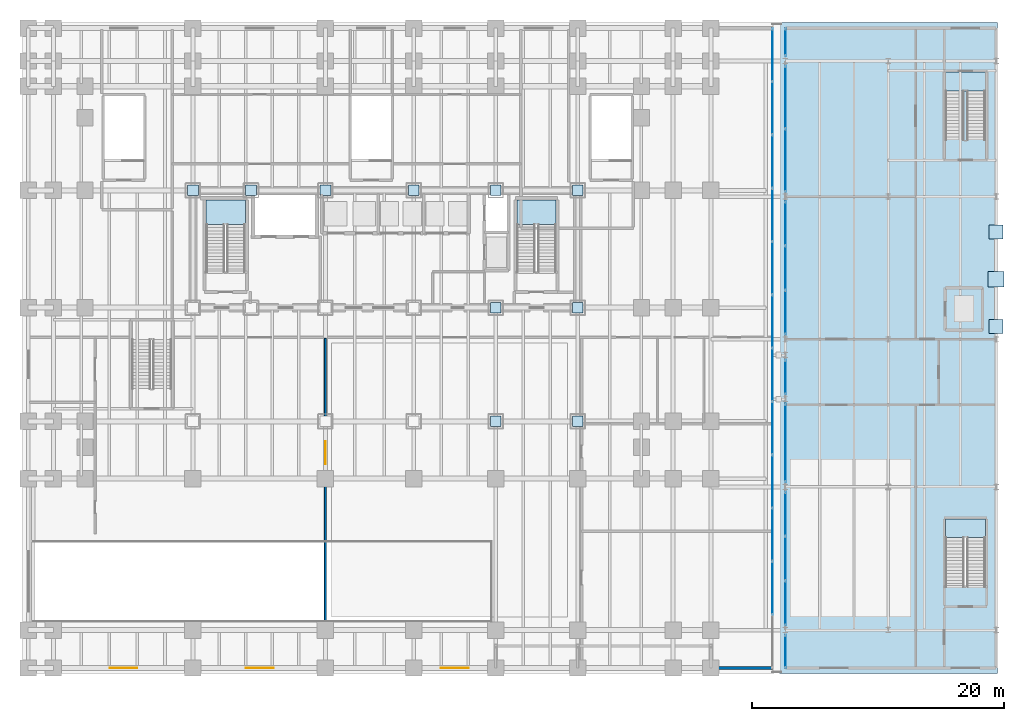
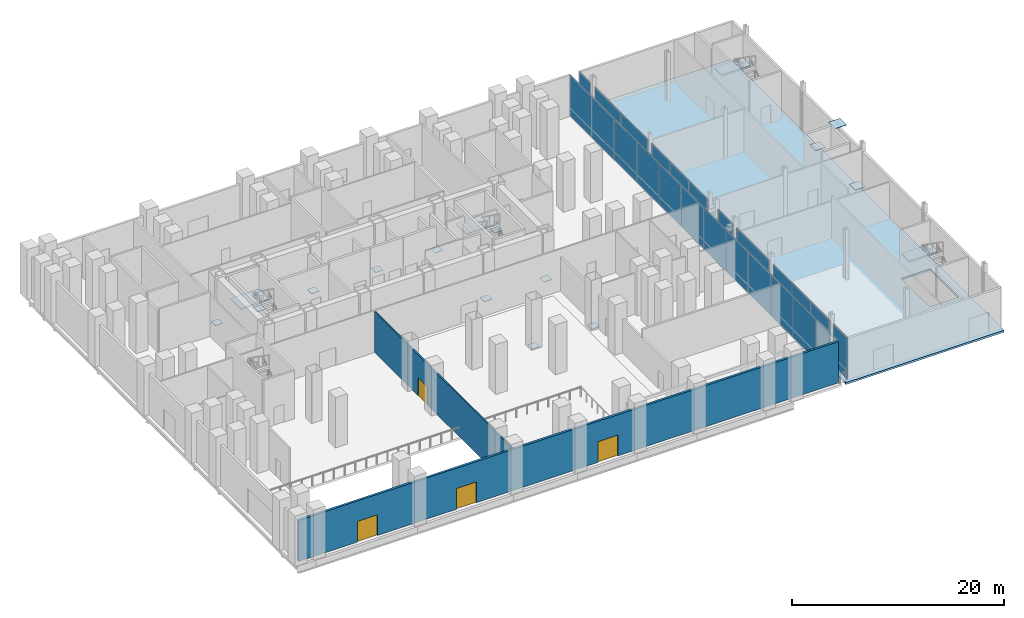
# One storey, part 22 of 36: 36 plates, 5 slabs, 4 doors, 2 walls, 5 openings, 12 elements without a shape of their own.
"""IFC4 building model written with IfcOpenShell, lengths in metres."""

from ifc_helpers import new_model, si_unit, direction, frame, frame_2d, origin, origin_2d, place, context, subcontext, project, spatial, polyline, rectangle, outline, extrude, material, layer, layer_set, type_object, element, fill, aggregate, save


model = new_model("IFC4")

# Units and contexts
model_context = context("Model", 3, precision=1e-05, world=origin(), true_north=direction((0.0, 1.0)))
body_context = subcontext(model_context, "Body", "Model", "MODEL_VIEW")
ifc_project = project(units=[si_unit("LENGTHUNIT", "METRE"), si_unit("AREAUNIT", "SQUARE_METRE"), si_unit("VOLUMEUNIT", "CUBIC_METRE"), si_unit("PLANEANGLEUNIT", "RADIAN"), si_unit("MASSUNIT", "GRAM", prefix="KILO")], contexts=[model_context])

# Site, building, storey
site_placement = place(None, origin())
site = spatial("IfcSite", under=ifc_project, at=site_placement, CompositionType="ELEMENT")
building_placement = place(site_placement, origin())
building = spatial("IfcBuilding", under=site, at=building_placement, Name="Noeulbin Bourse Tower", CompositionType="ELEMENT")
storey_placement = place(building_placement, origin())
storey = spatial("IfcBuildingStorey", under=building, at=storey_placement, Name="L01", CompositionType="ELEMENT", Elevation=0.0)

# Curtain wall, plates
ifc_material_1 = material(Name="Laminated Clear Low-E Glass", Category="glass")
curtain_wall_type = type_object("IfcCurtainWallType", Name="CW-SYS-1", PredefinedType="NOTDEFINED", material=ifc_material_1)
curtain_wall_1_placement = place(storey_placement, origin())
curtain_wall_1 = element("IfcCurtainWall", 1, at=curtain_wall_1_placement, inside=storey, type_object=curtain_wall_type, Name="Unitised Curtain Wall CW-L01-GAL-W", PredefinedType="NOTDEFINED")
ifc_layer_1 = layer(ifc_material_1, 0.035888671875)
ifc_layer_set_1 = layer_set([ifc_layer_1], Name="Laminated Clear Low-E Glass")
plate_type_1 = type_object("IfcPlateType", Name="CW-SYS-1-PNL", PredefinedType="CURTAIN_PANEL", material=ifc_layer_set_1)
plate_1_placement = place(storey_placement, frame((59.419921875, 6.78759765625, 0.0), z_axis=(0.0, 0.0, 1.0), x_axis=(0.0, 1.0, 0.0)))
plate_1 = element("IfcPlate", 2, at=plate_1_placement, type_object=plate_type_1, Name="Glazed Curtain Panel CW-L01-GAL-W-P01", PredefinedType="CURTAIN_PANEL", context=body_context, shape_type="SweptSolid", body=[
    extrude(rectangle(XDim=4.22509765625, YDim=0.035888671875, at=origin_2d()), origin(), (0.0, 0.0, 1.0), 4.75),
])
plate_2_placement = place(storey_placement, frame((59.419921875, 11.012451171875, 0.0), z_axis=(0.0, 0.0, 1.0), x_axis=(0.0, 1.0, 0.0)))
plate_2 = element("IfcPlate", 3, at=plate_2_placement, type_object=plate_type_1, Name="Glazed Curtain Panel CW-L01-GAL-W-P02", PredefinedType="CURTAIN_PANEL", context=body_context, shape_type="SweptSolid", body=[
    extrude(rectangle(XDim=4.22509765625, YDim=0.035888671875, at=origin_2d()), origin(), (0.0, 0.0, 1.0), 4.75),
])
plate_3_placement = place(storey_placement, frame((59.419921875, 15.237548828125, 0.0), z_axis=(0.0, 0.0, 1.0), x_axis=(0.0, 1.0, 0.0)))
plate_3 = element("IfcPlate", 4, at=plate_3_placement, type_object=plate_type_1, Name="Glazed Curtain Panel CW-L01-GAL-W-P03", PredefinedType="CURTAIN_PANEL", context=body_context, shape_type="SweptSolid", body=[
    extrude(rectangle(XDim=4.22509765625, YDim=0.035888671875, at=origin_2d()), origin(), (0.0, 0.0, 1.0), 4.75),
])
plate_4_placement = place(storey_placement, frame((59.419921875, 19.46240234375, 0.0), z_axis=(0.0, 0.0, 1.0), x_axis=(0.0, 1.0, 0.0)))
plate_4 = element("IfcPlate", 5, at=plate_4_placement, type_object=plate_type_1, Name="Glazed Curtain Panel CW-L01-GAL-W-P04", PredefinedType="CURTAIN_PANEL", context=body_context, shape_type="SweptSolid", body=[
    extrude(rectangle(XDim=4.22509765625, YDim=0.035888671875, at=origin_2d()), origin(), (0.0, 0.0, 1.0), 4.75),
])
plate_5_placement = place(storey_placement, frame((59.419921875, 23.6875, 0.0), z_axis=(0.0, 0.0, 1.0), x_axis=(0.0, 1.0, 0.0)))
plate_5 = element("IfcPlate", 6, at=plate_5_placement, type_object=plate_type_1, Name="Glazed Curtain Panel CW-L01-GAL-W-P05", PredefinedType="CURTAIN_PANEL", context=body_context, shape_type="SweptSolid", body=[
    extrude(rectangle(XDim=4.22509765625, YDim=0.035888671875, at=origin_2d()), origin(), (0.0, 0.0, 1.0), 4.75),
])
plate_6_placement = place(storey_placement, frame((59.419921875, 27.91259765625, 0.0), z_axis=(0.0, 0.0, 1.0), x_axis=(0.0, 1.0, 0.0)))
plate_6 = element("IfcPlate", 7, at=plate_6_placement, type_object=plate_type_1, Name="Glazed Curtain Panel CW-L01-GAL-W-P06", PredefinedType="CURTAIN_PANEL", context=body_context, shape_type="SweptSolid", body=[
    extrude(rectangle(XDim=4.22509765625, YDim=0.035888671875, at=origin_2d()), origin(), (0.0, 0.0, 1.0), 4.75),
])
plate_7_placement = place(storey_placement, frame((59.419921875, 32.137451171875, 0.0), z_axis=(0.0, 0.0, 1.0), x_axis=(0.0, 1.0, 0.0)))
plate_7 = element("IfcPlate", 8, at=plate_7_placement, type_object=plate_type_1, Name="Glazed Curtain Panel CW-L01-GAL-W-P07", PredefinedType="CURTAIN_PANEL", context=body_context, shape_type="SweptSolid", body=[
    extrude(rectangle(XDim=4.22509765625, YDim=0.035888671875, at=origin_2d()), origin(), (0.0, 0.0, 1.0), 4.75),
])
plate_8_placement = place(storey_placement, frame((59.419921875, 36.362548828125, 0.0), z_axis=(0.0, 0.0, 1.0), x_axis=(0.0, 1.0, 0.0)))
plate_8 = element("IfcPlate", 9, at=plate_8_placement, type_object=plate_type_1, Name="Glazed Curtain Panel CW-L01-GAL-W-P08", PredefinedType="CURTAIN_PANEL", context=body_context, shape_type="SweptSolid", body=[
    extrude(rectangle(XDim=4.22509765625, YDim=0.035888671875, at=origin_2d()), origin(), (0.0, 0.0, 1.0), 4.75),
])
plate_9_placement = place(storey_placement, frame((59.419921875, 40.58740234375, 0.0), z_axis=(0.0, 0.0, 1.0), x_axis=(0.0, 1.0, 0.0)))
plate_9 = element("IfcPlate", 10, at=plate_9_placement, type_object=plate_type_1, Name="Glazed Curtain Panel CW-L01-GAL-W-P09", PredefinedType="CURTAIN_PANEL", context=body_context, shape_type="SweptSolid", body=[
    extrude(rectangle(XDim=4.22509765625, YDim=0.035888671875, at=origin_2d()), origin(), (0.0, 0.0, 1.0), 4.75),
])
plate_10_placement = place(storey_placement, frame((59.419921875, 44.8125, 0.0), z_axis=(0.0, 0.0, 1.0), x_axis=(0.0, 1.0, 0.0)))
plate_10 = element("IfcPlate", 11, at=plate_10_placement, type_object=plate_type_1, Name="Glazed Curtain Panel CW-L01-GAL-W-P10", PredefinedType="CURTAIN_PANEL", context=body_context, shape_type="SweptSolid", body=[
    extrude(rectangle(XDim=4.22509765625, YDim=0.035888671875, at=origin_2d()), origin(), (0.0, 0.0, 1.0), 4.75),
])
plate_11_placement = place(storey_placement, frame((59.419921875, 49.03759765625, 0.0), z_axis=(0.0, 0.0, 1.0), x_axis=(0.0, 1.0, 0.0)))
plate_11 = element("IfcPlate", 12, at=plate_11_placement, type_object=plate_type_1, Name="Glazed Curtain Panel CW-L01-GAL-W-P11", PredefinedType="CURTAIN_PANEL", context=body_context, shape_type="SweptSolid", body=[
    extrude(rectangle(XDim=4.22509765625, YDim=0.035888671875, at=origin_2d()), origin(), (0.0, 0.0, 1.0), 4.75),
])
aggregate(curtain_wall_1, [plate_1, plate_2, plate_3, plate_4, plate_5, plate_6, plate_7, plate_8, plate_9, plate_10, plate_11])

# Curtain wall, plate
curtain_wall_2_placement = place(storey_placement, origin())
curtain_wall_2 = element("IfcCurtainWall", 13, at=curtain_wall_2_placement, inside=storey, type_object=curtain_wall_type, Name="Unitised Curtain Wall CW-L01-GAL-E-S1", PredefinedType="NOTDEFINED")
plate_12_placement = place(storey_placement, frame((60.449951171875, 1.762939453125, 0.0), z_axis=(0.0, 0.0, 1.0), x_axis=(0.0, 1.0, 0.0)))
plate_12 = element("IfcPlate", 14, at=plate_12_placement, type_object=plate_type_1, Name="Glazed Curtain Panel CW-L01-GAL-E-S1-P00", PredefinedType="CURTAIN_PANEL", context=body_context, shape_type="SweptSolid", body=[
    extrude(rectangle(XDim=2.6259765625, YDim=0.035888671875, at=origin_2d()), origin(), (0.0, 0.0, 1.0), 4.75),
])
aggregate(curtain_wall_2, [plate_12])

# Curtain wall, plates
curtain_wall_3_placement = place(storey_placement, origin())
curtain_wall_3 = element("IfcCurtainWall", 15, at=curtain_wall_3_placement, inside=storey, type_object=curtain_wall_type, Name="Unitised Curtain Wall CW-L01-GAL-E-S2", PredefinedType="NOTDEFINED")
plate_13_placement = place(storey_placement, frame((60.449951171875, 5.591064453125, 0.0), z_axis=(0.0, 0.0, 1.0), x_axis=(0.0, 1.0, 0.0)))
plate_13 = element("IfcPlate", 16, at=plate_13_placement, type_object=plate_type_1, Name="Glazed Curtain Panel CW-L01-GAL-E-S2-P00", PredefinedType="CURTAIN_PANEL", context=body_context, shape_type="SweptSolid", body=[
    extrude(rectangle(XDim=3.533935546875, YDim=0.035888671875, at=origin_2d()), origin(), (0.0, 0.0, 1.0), 4.75),
])
plate_14_placement = place(storey_placement, frame((60.449951171875, 9.125, 0.0), z_axis=(0.0, 0.0, 1.0), x_axis=(0.0, 1.0, 0.0)))
plate_14 = element("IfcPlate", 17, at=plate_14_placement, type_object=plate_type_1, Name="Glazed Curtain Panel CW-L01-GAL-E-S2-P01", PredefinedType="CURTAIN_PANEL", context=body_context, shape_type="SweptSolid", body=[
    extrude(rectangle(XDim=3.533935546875, YDim=0.035888671875, at=origin_2d()), origin(), (0.0, 0.0, 1.0), 4.75),
])
plate_15_placement = place(storey_placement, frame((60.449951171875, 12.658935546875, 0.0), z_axis=(0.0, 0.0, 1.0), x_axis=(0.0, 1.0, 0.0)))
plate_15 = element("IfcPlate", 18, at=plate_15_placement, type_object=plate_type_1, Name="Glazed Curtain Panel CW-L01-GAL-E-S2-P02", PredefinedType="CURTAIN_PANEL", context=body_context, shape_type="SweptSolid", body=[
    extrude(rectangle(XDim=3.533935546875, YDim=0.035888671875, at=origin_2d()), origin(), (0.0, 0.0, 1.0), 4.75),
])
aggregate(curtain_wall_3, [plate_13, plate_14, plate_15])

# Curtain wall, plate
curtain_wall_4_placement = place(storey_placement, origin())
curtain_wall_4 = element("IfcCurtainWall", 19, at=curtain_wall_4_placement, inside=storey, type_object=curtain_wall_type, Name="Unitised Curtain Wall CW-L01-GAL-E-S3", PredefinedType="NOTDEFINED")
plate_16_placement = place(storey_placement, frame((60.449951171875, 18.27490234375, 0.0), z_axis=(0.0, 0.0, 1.0), x_axis=(0.0, 1.0, 0.0)))
plate_16 = element("IfcPlate", 20, at=plate_16_placement, type_object=plate_type_1, Name="Glazed Curtain Panel CW-L01-GAL-E-S3-P00", PredefinedType="CURTAIN_PANEL", context=body_context, shape_type="SweptSolid", body=[
    extrude(rectangle(XDim=6.201904296875, YDim=0.035888671875, at=origin_2d()), origin(), (0.0, 0.0, 1.0), 4.75),
])
aggregate(curtain_wall_4, [plate_16])

curtain_wall_5_placement = place(storey_placement, origin())
curtain_wall_5 = element("IfcCurtainWall", 21, at=curtain_wall_5_placement, inside=storey, type_object=curtain_wall_type, Name="Unitised Curtain Wall CW-L01-GAL-E-S4", PredefinedType="NOTDEFINED")
plate_17_placement = place(storey_placement, frame((60.449951171875, 23.5, 0.0), z_axis=(0.0, 0.0, 1.0), x_axis=(0.0, 1.0, 0.0)))
plate_17 = element("IfcPlate", 22, at=plate_17_placement, type_object=plate_type_1, Name="Glazed Curtain Panel CW-L01-GAL-E-S4-P00", PredefinedType="CURTAIN_PANEL", context=body_context, shape_type="SweptSolid", body=[
    extrude(rectangle(XDim=2.751953125, YDim=0.035888671875, at=origin_2d()), origin(), (0.0, 0.0, 1.0), 4.75),
])
aggregate(curtain_wall_5, [plate_17])

# Curtain wall, plates
curtain_wall_6_placement = place(storey_placement, origin())
curtain_wall_6 = element("IfcCurtainWall", 23, at=curtain_wall_6_placement, inside=storey, type_object=curtain_wall_type, Name="Unitised Curtain Wall CW-L01-GAL-E-S5", PredefinedType="NOTDEFINED")
plate_18_placement = place(storey_placement, frame((60.449951171875, 28.6328125, 0.0), z_axis=(0.0, 0.0, 1.0), x_axis=(0.0, 1.0, 0.0)))
plate_18 = element("IfcPlate", 24, at=plate_18_placement, type_object=plate_type_1, Name="Glazed Curtain Panel CW-L01-GAL-E-S5-P00", PredefinedType="CURTAIN_PANEL", context=body_context, shape_type="SweptSolid", body=[
    extrude(rectangle(XDim=3.517333984375, YDim=0.035888671875, at=origin_2d()), origin(), (0.0, 0.0, 1.0), 4.75),
])
plate_19_placement = place(storey_placement, frame((60.449951171875, 32.14990234375, 0.0), z_axis=(0.0, 0.0, 1.0), x_axis=(0.0, 1.0, 0.0)))
plate_19 = element("IfcPlate", 25, at=plate_19_placement, type_object=plate_type_1, Name="Glazed Curtain Panel CW-L01-GAL-E-S5-P01", PredefinedType="CURTAIN_PANEL", context=body_context, shape_type="SweptSolid", body=[
    extrude(rectangle(XDim=3.517333984375, YDim=0.035888671875, at=origin_2d()), origin(), (0.0, 0.0, 1.0), 4.75),
])
plate_20_placement = place(storey_placement, frame((60.449951171875, 35.667236328125, 0.0), z_axis=(0.0, 0.0, 1.0), x_axis=(0.0, 1.0, 0.0)))
plate_20 = element("IfcPlate", 26, at=plate_20_placement, type_object=plate_type_1, Name="Glazed Curtain Panel CW-L01-GAL-E-S5-P02", PredefinedType="CURTAIN_PANEL", context=body_context, shape_type="SweptSolid", body=[
    extrude(rectangle(XDim=3.517333984375, YDim=0.035888671875, at=origin_2d()), origin(), (0.0, 0.0, 1.0), 4.75),
])
aggregate(curtain_wall_6, [plate_18, plate_19, plate_20])

curtain_wall_7_placement = place(storey_placement, origin())
curtain_wall_7 = element("IfcCurtainWall", 27, at=curtain_wall_7_placement, inside=storey, type_object=curtain_wall_type, Name="Unitised Curtain Wall CW-L01-GAL-E-S6", PredefinedType="NOTDEFINED")
plate_21_placement = place(storey_placement, frame((60.449951171875, 40.674560546875, 0.0), z_axis=(0.0, 0.0, 1.0), x_axis=(0.0, 1.0, 0.0)))
plate_21 = element("IfcPlate", 28, at=plate_21_placement, type_object=plate_type_1, Name="Glazed Curtain Panel CW-L01-GAL-E-S6-P00", PredefinedType="CURTAIN_PANEL", context=body_context, shape_type="SweptSolid", body=[
    extrude(rectangle(XDim=5.0009765625, YDim=0.035888671875, at=origin_2d()), origin(), (0.0, 0.0, 1.0), 4.75),
])
plate_22_placement = place(storey_placement, frame((60.449951171875, 45.675537109375, 0.0), z_axis=(0.0, 0.0, 1.0), x_axis=(0.0, 1.0, 0.0)))
plate_22 = element("IfcPlate", 29, at=plate_22_placement, type_object=plate_type_1, Name="Glazed Curtain Panel CW-L01-GAL-E-S6-P01", PredefinedType="CURTAIN_PANEL", context=body_context, shape_type="SweptSolid", body=[
    extrude(rectangle(XDim=5.0009765625, YDim=0.035888671875, at=origin_2d()), origin(), (0.0, 0.0, 1.0), 4.75),
])
aggregate(curtain_wall_7, [plate_21, plate_22])

# Curtain wall, plate
curtain_wall_8_placement = place(storey_placement, origin())
curtain_wall_8 = element("IfcCurtainWall", 30, at=curtain_wall_8_placement, inside=storey, type_object=curtain_wall_type, Name="Unitised Curtain Wall CW-L01-GAL-E-S7", PredefinedType="NOTDEFINED")
plate_23_placement = place(storey_placement, frame((60.449951171875, 50.037109375, 0.0), z_axis=(0.0, 0.0, 1.0), x_axis=(0.0, 1.0, 0.0)))
plate_23 = element("IfcPlate", 31, at=plate_23_placement, type_object=plate_type_1, Name="Glazed Curtain Panel CW-L01-GAL-E-S7-P00", PredefinedType="CURTAIN_PANEL", context=body_context, shape_type="SweptSolid", body=[
    extrude(rectangle(XDim=2.22607421875, YDim=0.035888671875, at=origin_2d()), origin(), (0.0, 0.0, 1.0), 4.75),
])
aggregate(curtain_wall_8, [plate_23])

# Plates
ifc_material_2 = material(Name="Steel S355", Category="steel")
ifc_layer_2 = layer(ifc_material_2, 0.030029296875)
ifc_layer_set_2 = layer_set([ifc_layer_2], Name="Steel S355")
plate_type_2 = type_object("IfcPlateType", Name="PLT-BN1", PredefinedType="USERDEFINED", material=ifc_layer_set_2)
for number, where, z_axis, x_axis, name in (
    (32, (13.5, 38.300048828125, 0.0048828125), (0.0, 0.0, 1.0), (1.0, 0.0, 0.0), "Mega-Column Splice Plate BN1-L01-02"),
    (33, (18.10009765625, 38.300048828125, 0.0048828125), (0.0, 0.0, 1.0), (1.0, 0.0, 0.0), "Mega-Column Splice Plate BN1-L01-04"),
    (34, (24.0, 38.300048828125, 0.0048828125), (0.0, 0.0, 1.0), (1.0, 0.0, 0.0), "Mega-Column Splice Plate BN1-L01-06"),
    (35, (31.0, 38.300048828125, 0.0048828125), (0.0, 0.0, 1.0), (1.0, 0.0, 0.0), "Mega-Column Splice Plate BN1-L01-08"),
    (36, (37.5, 29.0, 0.0048828125), (0.0, 0.0, 1.0), (1.0, 0.0, 0.0), "Mega-Column Splice Plate BN1-L01-09"),
    (37, (37.5, 38.300048828125, 0.0048828125), (0.0, 0.0, 1.0), (1.0, 0.0, 0.0), "Mega-Column Splice Plate BN1-L01-10"),
    (38, (44.0, 29.0, 0.0048828125), (0.0, 0.0, 1.0), (1.0, 0.0, 0.0), "Mega-Column Splice Plate BN1-L01-11"),
    (39, (44.0, 38.300048828125, 0.0048828125), (0.0, 0.0, 1.0), (1.0, 0.0, 0.0), "Mega-Column Splice Plate BN1-L01-12"),
    (40, (37.5, 20.0, 0.0048828125), (0.0, 0.0, 1.0), (1.0, 0.0, 0.0), "Mega-Column Splice Plate BN1-L01-16"),
    (41, (44.0, 20.0, 0.0048828125), (0.0, 0.0, 1.0), (1.0, 0.0, 0.0), "Mega-Column Splice Plate BN1-L01-17"),
):
    element("IfcPlate", number, at=place(storey_placement, frame(where, z_axis=z_axis, x_axis=x_axis)), inside=storey, type_object=plate_type_2, Name=name, ObjectType="SPLICE PLATE", PredefinedType="USERDEFINED", context=body_context, shape_type="SweptSolid", body=[
        extrude(rectangle(XDim=0.85009765625, YDim=0.85009765625, at=origin_2d()), origin(), (0.0, 0.0, 1.0), 0.030029296875),
    ])
ifc_material_3 = material(Name="Steel S460", Category="steel")
ifc_layer_3 = layer(ifc_material_3, 0.0400390625)
ifc_layer_set_3 = layer_set([ifc_layer_3], Name="Steel S460")
plate_type_3 = type_object("IfcPlateType", Name="PLT-KN1", PredefinedType="USERDEFINED", material=ifc_layer_set_3)
plate_24_placement = place(storey_placement, frame((77.14990234375, 31.25, 4.909912109375), z_axis=(0.0, 0.0, 1.0), x_axis=(1.0, 0.0, 0.0)))
element("IfcPlate", 42, at=plate_24_placement, inside=storey, type_object=plate_type_3, Name="Market Brace Apex Gusset Plate KN1-ML01M", ObjectType="GUSSET PLATE", PredefinedType="USERDEFINED", context=body_context, shape_type="SweptSolid", body=[
    extrude(rectangle(XDim=1.25, YDim=1.25, at=origin_2d()), origin(), (0.0, 0.0, 1.0), 0.0400390625),
])
ifc_layer_4 = layer(ifc_material_3, 0.035888671875)
ifc_layer_set_4 = layer_set([ifc_layer_4], Name="Steel S460")
plate_type_4 = type_object("IfcPlateType", Name="PLT-KN2", PredefinedType="USERDEFINED", material=ifc_layer_set_4)
for number, where, z_axis, x_axis, name in (
    (43, (77.14990234375, 27.5, 0.0419921875), (0.0, 0.0, 1.0), (1.0, 0.0, 0.0), "Market Brace South Gusset Plate KN2-ML01A"),
    (44, (77.14990234375, 35.0, 0.0419921875), (0.0, 0.0, 1.0), (1.0, 0.0, 0.0), "Market Brace North Gusset Plate KN2-ML01B"),
):
    element("IfcPlate", number, at=place(storey_placement, frame(where, z_axis=z_axis, x_axis=x_axis)), inside=storey, type_object=plate_type_4, Name=name, ObjectType="GUSSET PLATE", PredefinedType="USERDEFINED", context=body_context, shape_type="SweptSolid", body=[
        extrude(rectangle(XDim=1.10009765625, YDim=1.10009765625, at=origin_2d()), origin(), (0.0, 0.0, 1.0), 0.035888671875),
    ])

# Stair, slab
ifc_material_4 = material(Name="Concrete C40/50", Category="concrete")
stair_type_1 = type_object("IfcStairType", Name="STR-CORE-1560", PredefinedType="HALF_TURN_STAIR", material=ifc_material_4)
stair_1_placement = place(storey_placement, origin())
stair_1 = element("IfcStair", 45, at=stair_1_placement, inside=storey, type_object=stair_type_1, Name="L01 ST-1", PredefinedType="HALF_TURN_STAIR")
ifc_layer_5 = layer(ifc_material_4, 0.199951171875)
ifc_layer_set_5 = layer_set([ifc_layer_5], Name="Concrete C40/50")
slab_type_1 = type_object("IfcSlabType", Name="SLB-LND-200", PredefinedType="LANDING", material=ifc_layer_set_5)
slab_1_placement = place(storey_placement, frame((0.0, 0.0, 2.699951171875)))
slab_1 = element("IfcSlab", 46, at=slab_1_placement, type_object=slab_type_1, Name="ST-1 landing 1", PredefinedType="LANDING", context=body_context, shape_type="SweptSolid", body=[
    extrude(outline(polyline([(17.64990234375, 35.590087890625), (17.64990234375, 37.5439453125), (14.550048828125, 37.5439453125), (14.550048828125, 35.590087890625), (17.64990234375, 35.590087890625)])), origin(), (0.0, 0.0, 1.0), 0.199951171875),
])
aggregate(stair_1, [slab_1])

stair_2_placement = place(storey_placement, origin())
stair_2 = element("IfcStair", 47, at=stair_2_placement, inside=storey, type_object=stair_type_1, Name="L01 ST-2", PredefinedType="HALF_TURN_STAIR")
slab_2_placement = place(storey_placement, frame((0.0, 0.0, 2.699951171875)))
slab_2 = element("IfcSlab", 48, at=slab_2_placement, type_object=slab_type_1, Name="ST-2 landing 1", PredefinedType="LANDING", context=body_context, shape_type="SweptSolid", body=[
    extrude(outline(polyline([(42.280029296875, 35.590087890625), (42.280029296875, 37.5439453125), (39.179931640625, 37.5439453125), (39.179931640625, 35.590087890625), (42.280029296875, 35.590087890625)])), origin(), (0.0, 0.0, 1.0), 0.199951171875),
])
aggregate(stair_2, [slab_2])

stair_type_2 = type_object("IfcStairType", Name="STR-MKT-1480", PredefinedType="HALF_TURN_STAIR", material=ifc_material_4)
stair_3_placement = place(storey_placement, origin())
stair_3 = element("IfcStair", 49, at=stair_3_placement, inside=storey, type_object=stair_type_2, Name="L01 MST-1", PredefinedType="HALF_TURN_STAIR")
slab_3_placement = place(storey_placement, frame((0.0, 0.0, 2.699951171875)))
slab_3 = element("IfcSlab", 50, at=slab_3_placement, type_object=slab_type_1, Name="MST-1 landing 1", PredefinedType="LANDING", context=body_context, shape_type="SweptSolid", body=[
    extrude(outline(polyline([(76.300048828125, 10.780029296875), (76.300048828125, 12.260009765625), (73.139892578125, 12.260009765625), (73.139892578125, 10.780029296875), (76.300048828125, 10.780029296875)])), origin(), (0.0, 0.0, 1.0), 0.199951171875),
])
aggregate(stair_3, [slab_3])

stair_4_placement = place(storey_placement, origin())
stair_4 = element("IfcStair", 51, at=stair_4_placement, inside=storey, type_object=stair_type_2, Name="L01 MST-2", PredefinedType="HALF_TURN_STAIR")
slab_4_placement = place(storey_placement, frame((0.0, 0.0, 2.699951171875)))
slab_4 = element("IfcSlab", 52, at=slab_4_placement, type_object=slab_type_1, Name="MST-2 landing 1", PredefinedType="LANDING", context=body_context, shape_type="SweptSolid", body=[
    extrude(outline(polyline([(76.300048828125, 46.179931640625), (76.300048828125, 47.659912109375), (73.139892578125, 47.659912109375), (73.139892578125, 46.179931640625), (76.300048828125, 46.179931640625)])), origin(), (0.0, 0.0, 1.0), 0.199951171875),
])
aggregate(stair_4, [slab_4])

# Slab, opening
ifc_layer_6 = layer(ifc_material_4, 0.219970703125)
ifc_layer_set_6 = layer_set([ifc_layer_6], Name="Concrete C40/50")
slab_type_2 = type_object("IfcSlabType", Name="SLB-MKT-220", PredefinedType="FLOOR", material=ifc_layer_set_6)
slab_5_placement = place(storey_placement, frame((0.0, 0.0, -0.219970703125)))
slab_5 = element("IfcSlab", 53, at=slab_5_placement, inside=storey, type_object=slab_type_2, Name="Market Hall Floor Slab L01", PredefinedType="FLOOR", context=body_context, shape_type="SweptSolid", body=[
    extrude(outline(polyline([(60.0, 0.0), (77.27001953125, 0.0), (77.27001953125, 51.60009765625), (60.0, 51.60009765625), (60.0, 0.0)]), holes=[polyline([(76.300048828125, 6.8798828125), (76.300048828125, 12.260009765625), (73.139892578125, 12.260009765625), (73.139892578125, 6.8798828125), (76.300048828125, 6.8798828125)])]), origin(), (0.0, 0.0, 1.0), 0.219970703125),
])
opening_1_placement = place(slab_5_placement, frame((0.0, 0.0, -0.010009765625)))
element("IfcOpeningElement", 54, at=opening_1_placement, cuts=slab_5, Name="Slab Shaft Opening SLB-L01-MKT-1", PredefinedType="OPENING", context=body_context, shape_type="SweptSolid", body=[
    extrude(outline(polyline([(76.300048828125, 6.8798828125), (76.300048828125, 12.260009765625), (73.139892578125, 12.260009765625), (73.139892578125, 6.8798828125), (76.300048828125, 6.8798828125)])), origin(), (0.0, 0.0, 1.0), 0.239990234375),
])

# Wall, openings, doors
ifc_material_5 = material(Name="Precast Concrete C40/50", Category="concrete")
ifc_layer_7 = layer(ifc_material_5, 0.300048828125)
ifc_layer_set_7 = layer_set([ifc_layer_7], Name="Precast Concrete C40/50")
wall_type_1 = type_object("IfcWallType", Name="WAL-EXT-300", PredefinedType="STANDARD", material=ifc_layer_set_7)
wall_1_placement = place(storey_placement, frame((0.449951171875, 0.449951171875, 0.0), z_axis=(0.0, 0.0, 1.0), x_axis=(1.0, 0.0, 0.0)))
wall_1 = element("IfcWall", 55, at=wall_1_placement, inside=storey, type_object=wall_type_1, Name="Concourse South Facade Wall", PredefinedType="STANDARD", context=body_context, shape_type="SweptSolid", body=[
    extrude(rectangle(XDim=58.969970703125, YDim=0.25, at=frame_2d((29.48486328125, 0.0))), origin(), (0.0, 0.0, 1.0), 4.75),
])
opening_2_placement = place(wall_1_placement, frame((6.449951171875, 0.0, 0.0)))
opening_2 = element("IfcOpeningElement", 56, at=opening_2_placement, cuts=wall_1, Name="Opening ED-22", PredefinedType="OPENING", context=body_context, shape_type="SweptSolid", body=[
    extrude(rectangle(XDim=2.199951171875, YDim=2.39990234375, at=frame_2d((1.10009765625, 1.199951171875))), frame((0.0, 0.135009765625, 0.0), z_axis=(0.0, -1.0, 0.0), x_axis=(1.0, 0.0, 0.0)), (0.0, 0.0, 1.0), 0.27001953125),
])
opening_3_placement = place(wall_1_placement, frame((17.25, 0.0, 0.0)))
opening_3 = element("IfcOpeningElement", 57, at=opening_3_placement, cuts=wall_1, Name="Opening ED-22", PredefinedType="OPENING", context=body_context, shape_type="SweptSolid", body=[
    extrude(rectangle(XDim=2.199951171875, YDim=2.39990234375, at=frame_2d((1.10009765625, 1.199951171875))), frame((0.0, 0.135009765625, 0.0), z_axis=(0.0, -1.0, 0.0), x_axis=(1.0, 0.0, 0.0)), (0.0, 0.0, 1.0), 0.27001953125),
])
opening_4_placement = place(wall_1_placement, frame((32.699951171875, 0.0, 0.0)))
opening_4 = element("IfcOpeningElement", 58, at=opening_4_placement, cuts=wall_1, Name="Opening ED-22", PredefinedType="OPENING", context=body_context, shape_type="SweptSolid", body=[
    extrude(rectangle(XDim=2.199951171875, YDim=2.39990234375, at=frame_2d((1.10009765625, 1.199951171875))), frame((0.0, 0.135009765625, 0.0), z_axis=(0.0, -1.0, 0.0), x_axis=(1.0, 0.0, 0.0)), (0.0, 0.0, 1.0), 0.27001953125),
])
ifc_material_6 = material(Name="Anodised Aluminium Framed Toughened Glass", Category="aluminium")
door_type_1 = type_object("IfcDoorType", Name="DR-EXT-2200", OperationType="DOUBLE_DOOR_SINGLE_SWING", PredefinedType="DOOR", material=ifc_material_6)
door_1_placement = place(opening_2_placement, frame((2.199951171875, 0.0, 0.0), z_axis=(0.0, 0.0, 1.0), x_axis=(-1.0, 0.0, 0.0)))
door_1 = element("IfcDoor", 59, at=door_1_placement, inside=storey, type_object=door_type_1, Name="Main Plaza Exit Portal ED-S1", OperationType="DOUBLE_DOOR_SINGLE_SWING", OverallHeight=2.39990234375, OverallWidth=2.199951171875, PredefinedType="DOOR", context=body_context, shape_type="SweptSolid", body=[
    extrude(rectangle(XDim=2.199951171875, YDim=2.39990234375, at=frame_2d((1.10009765625, 1.199951171875))), frame((0.0, 0.02490234375, 0.0), z_axis=(0.0, -1.0, 0.0), x_axis=(1.0, 0.0, 0.0)), (0.0, 0.0, 1.0), 0.050048828125),
])
fill(opening_2, door_1)
door_2_placement = place(opening_3_placement, frame((2.199951171875, 0.0, 0.0), z_axis=(0.0, 0.0, 1.0), x_axis=(-1.0, 0.0, 0.0)))
door_2 = element("IfcDoor", 60, at=door_2_placement, inside=storey, type_object=door_type_1, Name="Main Plaza Exit Portal ED-S2", OperationType="DOUBLE_DOOR_SINGLE_SWING", OverallHeight=2.39990234375, OverallWidth=2.199951171875, PredefinedType="DOOR", context=body_context, shape_type="SweptSolid", body=[
    extrude(rectangle(XDim=2.199951171875, YDim=2.39990234375, at=frame_2d((1.10009765625, 1.199951171875))), frame((0.0, 0.02490234375, 0.0), z_axis=(0.0, -1.0, 0.0), x_axis=(1.0, 0.0, 0.0)), (0.0, 0.0, 1.0), 0.050048828125),
])
fill(opening_3, door_2)
door_3_placement = place(opening_4_placement, frame((2.199951171875, 0.0, 0.0), z_axis=(0.0, 0.0, 1.0), x_axis=(-1.0, 0.0, 0.0)))
door_3 = element("IfcDoor", 61, at=door_3_placement, inside=storey, type_object=door_type_1, Name="Main Plaza Exit Portal ED-S3", OperationType="DOUBLE_DOOR_SINGLE_SWING", OverallHeight=2.39990234375, OverallWidth=2.199951171875, PredefinedType="DOOR", context=body_context, shape_type="SweptSolid", body=[
    extrude(rectangle(XDim=2.199951171875, YDim=2.39990234375, at=frame_2d((1.10009765625, 1.199951171875))), frame((0.0, 0.02490234375, 0.0), z_axis=(0.0, -1.0, 0.0), x_axis=(1.0, 0.0, 0.0)), (0.0, 0.0, 1.0), 0.050048828125),
])
fill(opening_4, door_3)

# Wall, opening, door
ifc_material_7 = material(Name="Steel Stud Acoustic Gypsum Board", Category="steel")
ifc_layer_8 = layer(ifc_material_7, 0.14990234375)
ifc_layer_set_8 = layer_set([ifc_layer_8], Name="Steel Stud Acoustic Gypsum Board")
wall_type_2 = type_object("IfcWallType", Name="WAL-PRT-150", PredefinedType="PARTITIONING", material=ifc_layer_set_8)
wall_2_placement = place(storey_placement, frame((24.0, 0.570068359375, 0.0), z_axis=(0.0, 0.0, 1.0), x_axis=(0.0, 1.0, 0.0)))
wall_2 = element("IfcWall", 62, at=wall_2_placement, inside=storey, type_object=wall_type_2, Name="Interior Partition Wall L01-27", PredefinedType="PARTITIONING", context=body_context, shape_type="SweptSolid", body=[
    extrude(rectangle(XDim=25.994873046875, YDim=0.14990234375, at=frame_2d((12.99755859375, 0.0))), origin(), (0.0, 0.0, 1.0), 4.72998046875),
])
opening_5_placement = place(wall_2_placement, frame((16.030029296875, 0.0, 0.0)))
opening_5 = element("IfcOpeningElement", 63, at=opening_5_placement, cuts=wall_2, Name="Opening ID-18", PredefinedType="OPENING", context=body_context, shape_type="SweptSolid", body=[
    extrude(rectangle(XDim=1.800048828125, YDim=2.080078125, at=frame_2d((0.89990234375, 1.0400390625))), frame((0.0, 0.0849609375, 0.0), z_axis=(0.0, -1.0, 0.0), x_axis=(1.0, 0.0, 0.0)), (0.0, 0.0, 1.0), 0.169921875),
])
ifc_material_8 = material(Name="Fire-Rated Glazed Steel", Category="steel")
door_type_2 = type_object("IfcDoorType", Name="DR-DBL-1800", OperationType="DOUBLE_DOOR_SINGLE_SWING", PredefinedType="DOOR", material=ifc_material_8)
door_4_placement = place(opening_5_placement, origin())
door_4 = element("IfcDoor", 64, at=door_4_placement, inside=storey, type_object=door_type_2, Name="Interior Door L01-03", OperationType="DOUBLE_DOOR_SINGLE_SWING", OverallHeight=2.080078125, OverallWidth=1.800048828125, PredefinedType="DOOR", context=body_context, shape_type="SweptSolid", body=[
    extrude(rectangle(XDim=1.800048828125, YDim=2.080078125, at=frame_2d((0.89990234375, 1.0400390625))), frame((0.0, 0.02490234375, 0.0), z_axis=(0.0, -1.0, 0.0), x_axis=(1.0, 0.0, 0.0)), (0.0, 0.0, 1.0), 0.050048828125),
])
fill(opening_5, door_4)

save(model, "model.ifc")
